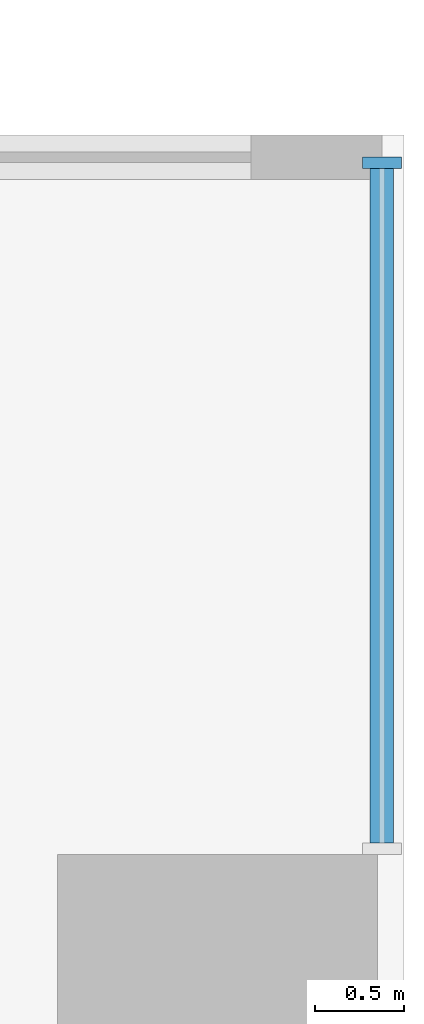
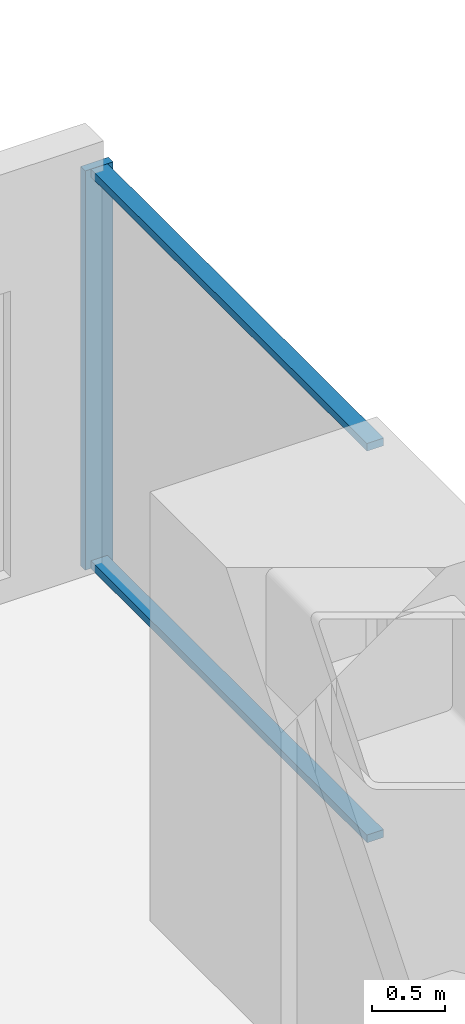
# One storey, part 8 of 14: 3 members, 1 element without a shape of its own.
"""IFC4 building model written with IfcOpenShell, lengths in metres."""

from ifc_helpers import new_model, si_unit, direction, frame, origin, origin_2d, place, context, subcontext, project, spatial, rectangle, extrude, material, layer, layer_set, material_profile, profile_set, type_object, element, aggregate, save


model = new_model("IFC4")

# Units and contexts
model_context = context("Model", 3, precision=1e-05, world=origin(), true_north=direction((0.0, 1.0)))
body_context = subcontext(model_context, "Body", "Model", "MODEL_VIEW")
ifc_project = project(units=[si_unit("LENGTHUNIT", "METRE"), si_unit("AREAUNIT", "SQUARE_METRE"), si_unit("VOLUMEUNIT", "CUBIC_METRE"), si_unit("PLANEANGLEUNIT", "RADIAN"), si_unit("MASSUNIT", "GRAM", prefix="KILO")], contexts=[model_context])

# Site, building, storey
site_placement = place(None, origin())
site = spatial("IfcSite", under=ifc_project, at=site_placement, CompositionType="ELEMENT")
building_placement = place(site_placement, origin())
building = spatial("IfcBuilding", under=site, at=building_placement, Name="Cleftline Residences", CompositionType="ELEMENT")
storey_placement = place(building_placement, frame((0.0, 0.0, 200.199951171875)))
storey = spatial("IfcBuildingStorey", under=building, at=storey_placement, Name="L52", CompositionType="ELEMENT", Elevation=200.199951171875)

# Curtain wall, members
ifc_material_1 = material(Name="Aluminium framed curtain wall", Category="aluminium")
ifc_layer = layer(ifc_material_1, 0.199951171875)
ifc_layer_set = layer_set([ifc_layer], Name="CW4 SKY LOUNGE GLAZING")
curtain_wall_type = type_object("IfcCurtainWallType", Name="CW4 SKY LOUNGE GLAZING", PredefinedType="NOTDEFINED", material=ifc_layer_set)
curtain_wall_placement = place(storey_placement, origin())
curtain_wall = element("IfcCurtainWall", 1, at=curtain_wall_placement, inside=storey, type_object=curtain_wall_type, Name="Curtain wall CW4", PredefinedType="NOTDEFINED")
ifc_material_2 = material(Name="Aluminium mullion", Category="aluminium")
ifc_material_profile_1 = material_profile(ifc_material_2, rectangle(XDim=0.219970703125, YDim=0.06494140625, at=origin_2d()))
ifc_profile_set_1 = profile_set([ifc_material_profile_1], Name="Aluminium mullion")
member_type_1 = type_object("IfcMemberType", Name="CW4 MULLION", PredefinedType="MULLION", material=ifc_profile_set_1)
member_1_placement = place(storey_placement, frame((66.574951171875, 44.79248046875, 0.0), z_axis=(0.0, 0.0, 1.0), x_axis=(-1.0, 0.0, 0.0)))
member_1 = element("IfcMember", 2, at=member_1_placement, type_object=member_type_1, Name="CW4 mullion 2", PredefinedType="MULLION", context=body_context, shape_type="SweptSolid", body=[
    extrude(rectangle(XDim=0.219970703125, YDim=0.06494140625, at=origin_2d()), origin(), (0.0, 0.0, 1.0), 3.35009765625),
])
ifc_material_3 = material(Name="Aluminium transom", Category="aluminium")
ifc_material_profile_2 = material_profile(ifc_material_3, rectangle(XDim=0.132080078125, YDim=0.06494140625, at=origin_2d()))
ifc_profile_set_2 = profile_set([ifc_material_profile_2], Name="Aluminium transom")
member_type_2 = type_object("IfcMemberType", Name="CW4 TRANSOM", PredefinedType="USERDEFINED", material=ifc_profile_set_2)
member_2_placement = place(storey_placement, frame((66.574951171875, 40.965087890625, 0.032470703125), z_axis=(0.0, 1.0, 0.0), x_axis=(-1.0, 0.0, 0.0)))
member_2 = element("IfcMember", 3, at=member_2_placement, type_object=member_type_2, Name="CW4 transom 1.1", ObjectType="TRANSOM", PredefinedType="USERDEFINED", context=body_context, shape_type="SweptSolid", body=[
    extrude(rectangle(XDim=0.132080078125, YDim=0.06494140625, at=origin_2d()), origin(), (0.0, 0.0, 1.0), 3.794921875),
])
member_3_placement = place(storey_placement, frame((66.574951171875, 40.965087890625, 3.317626953125), z_axis=(0.0, 1.0, 0.0), x_axis=(-1.0, 0.0, 0.0)))
member_3 = element("IfcMember", 4, at=member_3_placement, type_object=member_type_2, Name="CW4 transom 1.2", ObjectType="TRANSOM", PredefinedType="USERDEFINED", context=body_context, shape_type="SweptSolid", body=[
    extrude(rectangle(XDim=0.132080078125, YDim=0.06494140625, at=origin_2d()), origin(), (0.0, 0.0, 1.0), 3.794921875),
])
aggregate(curtain_wall, [member_1, member_2, member_3])

save(model, "model.ifc")
